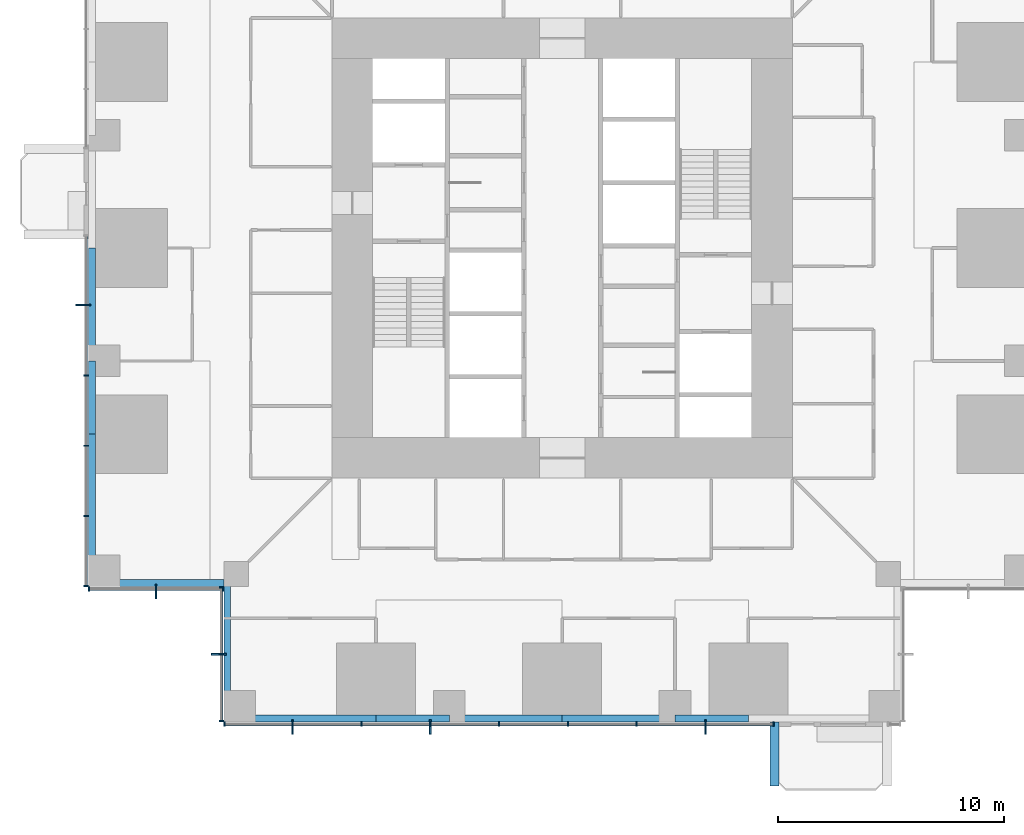
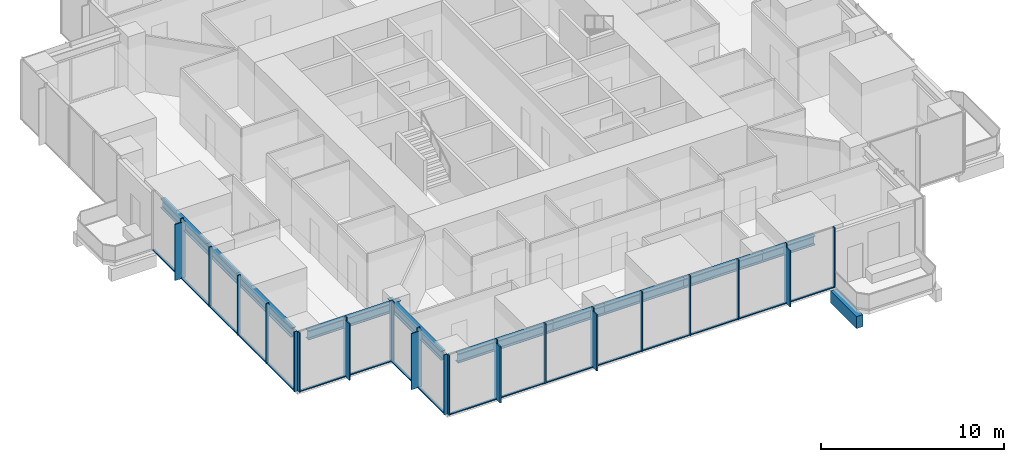
# One storey, part 2 of 16: 43 members, 11 beams, 4 elements without a shape of their own.
"""IFC4 building model written with IfcOpenShell, lengths in metres."""

import ifcopenshell
import ifcopenshell.guid

model = None  # the IFC model being written
_history = None  # IfcOwnerHistory: only IFC2X3 demands one
_inside = {}  # id of a spatial element -> (the spatial element, [elements in it])
_under = {}  # id of a project, library or spatial element -> (it, [spatial elements below it])
_declared = {}  # id of a project -> (the project, [libraries it declares])
_typed = {}  # id of a type object -> (the type object, [elements of that type])
_made_of = {}  # id of a material, layer set ... -> (it, [elements and type objects made of it])


def new_model(schema):
    """Start an empty IFC model of exactly this schema.

    Asked for "IFC4X3", IfcOpenShell would pick the latest addendum, in which some entities
    have other attributes; the version numbers below select the first issue.
    IFC2X3 requires an IfcOwnerHistory on every rooted entity: one is made here for all.
    """
    global model, _history
    if schema == "IFC4X3":
        model = ifcopenshell.file(schema_version=(4, 3, 0, 0))
    else:
        model = ifcopenshell.file(schema=schema)
    _inside.clear()
    _under.clear()
    _declared.clear()
    _typed.clear()
    _made_of.clear()
    _history = None
    if model.schema == "IFC2X3":
        org = make("IfcOrganization", Name="unknown")
        user = make(
            "IfcPersonAndOrganization",
            ThePerson=make("IfcPerson", FamilyName="unknown"),
            TheOrganization=org,
        )
        app = make(
            "IfcApplication",
            ApplicationDeveloper=org,
            Version="unknown",
            ApplicationFullName="unknown",
            ApplicationIdentifier="unknown",
        )
        _history = make(
            "IfcOwnerHistory",
            OwningUser=user,
            OwningApplication=app,
            ChangeAction="ADDED",
            CreationDate=0,
        )
    return model


def make(cls, **values):
    """One entity of the class cls with the attributes given. An attribute that is None is left unset."""
    return model.create_entity(
        cls, **{name: value for name, value in values.items() if value is not None}
    )


def rooted(cls, **values):
    """An entity with a GlobalId (a new one), such as an element, a storey or a relation."""
    return make(cls, GlobalId=ifcopenshell.guid.new(), OwnerHistory=_history, **values)


def si_unit(unit_type, name, prefix=None):
    """IfcSIUnit, for example si_unit("LENGTHUNIT", "METRE", prefix="MILLI")."""
    return make("IfcSIUnit", UnitType=unit_type, Prefix=prefix, Name=name)


def assignment(units):
    """IfcUnitAssignment: the units of a project."""
    return None if units is None else make("IfcUnitAssignment", Units=units)


def point(xyz):
    """IfcCartesianPoint."""
    return None if xyz is None else make("IfcCartesianPoint", Coordinates=xyz)


def direction(xyz):
    """IfcDirection."""
    return None if xyz is None else make("IfcDirection", DirectionRatios=xyz)


def frame(location, z_axis=None, x_axis=None):
    """IfcAxis2Placement3D, a coordinate frame: its origin and axes. An axis left out is left unset."""
    return make(
        "IfcAxis2Placement3D",
        Location=point(location),
        Axis=direction(z_axis),
        RefDirection=direction(x_axis),
    )


def frame_2d(location, x_axis=None):
    """IfcAxis2Placement2D, a coordinate frame in the plane: its origin and x axis."""
    return make(
        "IfcAxis2Placement2D", Location=point(location), RefDirection=direction(x_axis)
    )


def origin():
    """The frame at (0, 0, 0) with its axes left unset."""
    return frame((0.0, 0.0, 0.0))


def origin_2d():
    """The frame at (0, 0) in the plane with its x axis left unset."""
    return frame_2d((0.0, 0.0))


def place(relative_to, where):
    """IfcLocalPlacement: puts the frame where relative to a parent placement (None: the world)."""
    return make(
        "IfcLocalPlacement", PlacementRelTo=relative_to, RelativePlacement=where
    )


def context(
    kind, dimensions, precision=None, world=None, true_north=None, identifier=None
):
    """IfcGeometricRepresentationContext, for example the 3D "Model" context."""
    return make(
        "IfcGeometricRepresentationContext",
        ContextIdentifier=identifier,
        ContextType=kind,
        CoordinateSpaceDimension=dimensions,
        Precision=precision,
        WorldCoordinateSystem=world,
        TrueNorth=true_north,
    )


def subcontext(parent, identifier, kind, view, scale=None):
    """IfcGeometricRepresentationSubContext, for example "Body" below "Model"."""
    return make(
        "IfcGeometricRepresentationSubContext",
        ContextIdentifier=identifier,
        ContextType=kind,
        ParentContext=parent,
        TargetScale=scale,
        TargetView=view,
    )


def project(units=None, contexts=None):
    """IfcProject with its units and contexts."""
    return rooted(
        "IfcProject",
        Name="project",
        RepresentationContexts=contexts,
        UnitsInContext=assignment(units),
    )


def spatial(cls, under=None, at=None, **own):
    """A site, building, storey or space (cls), placed at a placement, below another one or the project."""
    s = rooted(cls, ObjectPlacement=at, **own)
    if under is not None:
        _under.setdefault(under.id(), (under, []))[1].append(s)
    return s


def profile(cls, at=None, kind="AREA", **sizes):
    """A parametric profile (cls). Its sizes go by their IFC names, for example OverallWidth=200.0."""
    return make(cls, ProfileType=kind, Position=at, **sizes)


def rectangle(**sizes):
    """IfcRectangleProfileDef."""
    return profile("IfcRectangleProfileDef", **sizes)


def i_section(**sizes):
    """IfcIShapeProfileDef."""
    return profile("IfcIShapeProfileDef", **sizes)


def extrude(swept, where, along, depth):
    """IfcExtrudedAreaSolid: the profile swept, set in the frame where, extruded along a direction by depth."""
    return make(
        "IfcExtrudedAreaSolid",
        SweptArea=swept,
        Position=where,
        ExtrudedDirection=direction(along),
        Depth=depth,
    )


def shape(context_of_items, identifier, shape_type, items):
    """IfcShapeRepresentation: the items that make up one representation, for example the "Body"."""
    return make(
        "IfcShapeRepresentation",
        ContextOfItems=context_of_items,
        RepresentationIdentifier=identifier,
        RepresentationType=shape_type,
        Items=items,
    )


def material(Name=None, Category=None):
    """IfcMaterial."""
    return make("IfcMaterial", Name=Name, Category=Category)


def material_profile(
    of_material, cross_section, Name=None, Category=None, Priority=None
):
    """IfcMaterialProfile: a cross section and its material."""
    return make(
        "IfcMaterialProfile",
        Name=Name,
        Material=of_material,
        Profile=cross_section,
        Priority=Priority,
        Category=Category,
    )


def profile_set(profiles, Name=None, composite=None):
    """IfcMaterialProfileSet."""
    return make(
        "IfcMaterialProfileSet",
        Name=Name,
        MaterialProfiles=profiles,
        CompositeProfile=composite,
    )


def made_of(thing, what):
    """Note that an element or type object is made of a material, layer set ...; save() writes the relation."""
    if what is not None:
        _made_of.setdefault(what.id(), (what, []))[1].append(thing)
    return thing


def type_object(cls, material=None, **own):
    """A type object (cls), such as IfcWallType, which elements share."""
    return made_of(rooted(cls, **own), material)


def element(
    cls,
    number,
    at=None,
    inside=None,
    cuts=None,
    type_object=None,
    material=None,
    context=None,
    identifier="Body",
    shape_type=None,
    held_by="IfcProductDefinitionShape",
    body=None,
    shapes=None,
    **own,
):
    """One element of the class cls, such as IfcWall. Its Tag is "e" and its number.

    at: its placement. inside: the storey or other place that contains it. cuts: it is an
    opening in that element (IfcRelVoidsElement). A single representation is given by context,
    identifier, shape_type and body (its items); several are given by shapes. held_by: the class
    of the entity that holds the representations. save() writes the other relations.
    """
    e = rooted(cls, Tag="e%d" % number, ObjectPlacement=at, **own)
    if body is not None:
        shapes = [shape(context, identifier, shape_type, body)]
    if shapes is not None:
        e.Representation = make(held_by, Representations=shapes)
    if inside is not None:
        _inside.setdefault(inside.id(), (inside, []))[1].append(e)
    if cuts is not None:
        rooted(
            "IfcRelVoidsElement", RelatingBuildingElement=cuts, RelatedOpeningElement=e
        )
    if type_object is not None:
        _typed.setdefault(type_object.id(), (type_object, []))[1].append(e)
    return made_of(e, material)


def aggregate(whole, parts):
    """IfcRelAggregates: a whole, such as a stair, and the parts it consists of."""
    return rooted("IfcRelAggregates", RelatingObject=whole, RelatedObjects=parts)


def save(model, path):
    """Write the relations noted so far, then the file.

    IfcRelAggregates (storeys below a building ...), IfcRelContainedInSpatialStructure (elements
    in a storey), IfcRelDefinesByType, IfcRelAssociatesMaterial and IfcRelDeclares: one each for
    every whole, place, type object, material and project.
    """
    for whole, parts in _under.values():
        aggregate(whole, parts)
    for where, things in _inside.values():
        rooted(
            "IfcRelContainedInSpatialStructure",
            RelatedElements=things,
            RelatingStructure=where,
        )
    for kind, things in _typed.values():
        rooted("IfcRelDefinesByType", RelatedObjects=things, RelatingType=kind)
    for what, things in _made_of.values():
        rooted("IfcRelAssociatesMaterial", RelatedObjects=things, RelatingMaterial=what)
    for by, libraries in _declared.values():
        rooted("IfcRelDeclares", RelatingContext=by, RelatedDefinitions=libraries)
    model.write(path)


model = new_model("IFC4")

# Units and contexts
model_context = context("Model", 3, precision=1e-05, world=origin(), true_north=direction((0.0, 1.0)))
body_context = subcontext(model_context, "Body", "Model", "MODEL_VIEW")
ifc_project = project(units=[si_unit("LENGTHUNIT", "METRE"), si_unit("AREAUNIT", "SQUARE_METRE"), si_unit("VOLUMEUNIT", "CUBIC_METRE"), si_unit("PLANEANGLEUNIT", "RADIAN"), si_unit("MASSUNIT", "GRAM", prefix="KILO")], contexts=[model_context])

# Site, building, storey
site_placement = place(None, origin())
site = spatial("IfcSite", under=ifc_project, at=site_placement, CompositionType="ELEMENT")
building_placement = place(site_placement, origin())
building = spatial("IfcBuilding", under=site, at=building_placement, Name="Svetlomir Tower", CompositionType="ELEMENT")
storey_placement = place(building_placement, frame((0.0, 0.0, 50.5)))
storey = spatial("IfcBuildingStorey", under=building, at=storey_placement, Name="L11", CompositionType="ELEMENT", Elevation=50.5)

# Beam
ifc_material_1 = material(Name="Concrete C60/75", Category="concrete")
ifc_material_profile_1 = material_profile(ifc_material_1, rectangle(XDim=0.39990234375, YDim=0.800048828125, at=origin_2d()), Name="RC 400x800")
ifc_profile_set_1 = profile_set([ifc_material_profile_1], Name="Concrete C60/75")
beam_type_1 = type_object("IfcBeamType", Name="BALCONY RIB RC 400x800", PredefinedType="BEAM", material=ifc_profile_set_1)
beam_1_placement = place(storey_placement, frame((30.39990234375, 0.0, -0.64990234375), z_axis=(0.0, -1.0, 0.0), x_axis=(1.0, 0.0, 0.0)))
element("IfcBeam", 1, at=beam_1_placement, inside=storey, type_object=beam_type_1, Name="Balcony rib S 1 L11", PredefinedType="BEAM", context=body_context, shape_type="SweptSolid", body=[
    extrude(rectangle(XDim=0.39990234375, YDim=0.800048828125, at=origin_2d()), origin(), (0.0, 0.0, 1.0), 2.85009765625),
])

# Curtain wall, members
ifc_material_2 = material(Name="Bronze anodised aluminium curtain wall", Category="aluminium")
curtain_wall_type = type_object("IfcCurtainWallType", Name="CURTAIN WALL CW1 TOWER OFFICE", PredefinedType="NOTDEFINED", material=ifc_material_2)
curtain_wall_1_placement = place(storey_placement, origin())
curtain_wall_1 = element("IfcCurtainWall", 2, at=curtain_wall_1_placement, inside=storey, type_object=curtain_wall_type, Name="Curtain wall CW1 L11", PredefinedType="NOTDEFINED")
ifc_material_3 = material(Name="Bronze anodised aluminium", Category="aluminium")
ifc_material_profile_2 = material_profile(ifc_material_3, rectangle(XDim=0.080078125, YDim=0.64990234375, at=origin_2d()), Name="FIN 80x650")
ifc_profile_set_2 = profile_set([ifc_material_profile_2], Name="Bronze anodised aluminium 6063-T6")
member_type_1 = type_object("IfcMemberType", Name="BRONZE FIN 80x650", PredefinedType="USERDEFINED", material=ifc_profile_set_2)
member_1_placement = place(storey_placement, frame((9.050048828125, -0.22509765625, 0.0), z_axis=(0.0, 0.0, 1.0), x_axis=(1.0, 0.0, 0.0)))
member_1 = element("IfcMember", 3, at=member_1_placement, type_object=member_type_1, Name="Bronze fin L11", ObjectType="FIN", PredefinedType="USERDEFINED", context=body_context, shape_type="SweptSolid", body=[
    extrude(rectangle(XDim=0.080078125, YDim=0.64990234375, at=origin_2d()), origin(), (0.0, 0.0, 1.0), 3.75),
])
member_2_placement = place(storey_placement, frame((15.14990234375, -0.22509765625, 0.0), z_axis=(0.0, 0.0, 1.0), x_axis=(1.0, 0.0, 0.0)))
member_2 = element("IfcMember", 4, at=member_2_placement, type_object=member_type_1, Name="Bronze fin L11", ObjectType="FIN", PredefinedType="USERDEFINED", context=body_context, shape_type="SweptSolid", body=[
    extrude(rectangle(XDim=0.080078125, YDim=0.64990234375, at=origin_2d()), origin(), (0.0, 0.0, 1.0), 3.75),
])
member_3_placement = place(storey_placement, frame((27.35009765625, -0.22509765625, 0.0), z_axis=(0.0, 0.0, 1.0), x_axis=(1.0, 0.0, 0.0)))
member_3 = element("IfcMember", 5, at=member_3_placement, type_object=member_type_1, Name="Bronze fin L11", ObjectType="FIN", PredefinedType="USERDEFINED", context=body_context, shape_type="SweptSolid", body=[
    extrude(rectangle(XDim=0.080078125, YDim=0.64990234375, at=origin_2d()), origin(), (0.0, 0.0, 1.0), 3.75),
])

# Curtain wall, member
curtain_wall_2_placement = place(storey_placement, origin())
curtain_wall_2 = element("IfcCurtainWall", 6, at=curtain_wall_2_placement, inside=storey, type_object=curtain_wall_type, Name="Curtain wall CW1 L11", PredefinedType="NOTDEFINED")
member_4_placement = place(storey_placement, frame((-0.22509765625, 18.47998046875, 0.0), z_axis=(0.0, 0.0, 1.0), x_axis=(0.0, 1.0, 0.0)))
member_4 = element("IfcMember", 7, at=member_4_placement, type_object=member_type_1, Name="Bronze fin L11", ObjectType="FIN", PredefinedType="USERDEFINED", context=body_context, shape_type="SweptSolid", body=[
    extrude(rectangle(XDim=0.080078125, YDim=0.64990234375, at=origin_2d()), origin(), (0.0, 0.0, 1.0), 3.75),
])

curtain_wall_3_placement = place(storey_placement, origin())
curtain_wall_3 = element("IfcCurtainWall", 8, at=curtain_wall_3_placement, inside=storey, type_object=curtain_wall_type, Name="Curtain wall CW1 L11", PredefinedType="NOTDEFINED")
member_5_placement = place(storey_placement, frame((3.0, 5.77490234375, 0.0), z_axis=(0.0, 0.0, 1.0), x_axis=(1.0, 0.0, 0.0)))
member_5 = element("IfcMember", 9, at=member_5_placement, type_object=member_type_1, Name="Bronze fin L11", ObjectType="FIN", PredefinedType="USERDEFINED", context=body_context, shape_type="SweptSolid", body=[
    extrude(rectangle(XDim=0.080078125, YDim=0.64990234375, at=origin_2d()), origin(), (0.0, 0.0, 1.0), 3.75),
])

curtain_wall_4_placement = place(storey_placement, origin())
curtain_wall_4 = element("IfcCurtainWall", 10, at=curtain_wall_4_placement, inside=storey, type_object=curtain_wall_type, Name="Curtain wall CW1 L11", PredefinedType="NOTDEFINED")
member_6_placement = place(storey_placement, frame((5.77490234375, 3.0, 0.0), z_axis=(0.0, 0.0, 1.0), x_axis=(0.0, 1.0, 0.0)))
member_6 = element("IfcMember", 11, at=member_6_placement, type_object=member_type_1, Name="Bronze fin L11", ObjectType="FIN", PredefinedType="USERDEFINED", context=body_context, shape_type="SweptSolid", body=[
    extrude(rectangle(XDim=0.080078125, YDim=0.64990234375, at=origin_2d()), origin(), (0.0, 0.0, 1.0), 3.75),
])

# Member
ifc_material_4 = material(Name="Bronze anodised aluminium", Category="aluminium")
ifc_material_profile_3 = material_profile(ifc_material_4, rectangle(XDim=0.06494140625, YDim=0.199951171875, at=origin_2d()), Name="AL 65x200")
ifc_profile_set_3 = profile_set([ifc_material_profile_3], Name="Bronze anodised aluminium 6063-T6")
member_type_2 = type_object("IfcMemberType", Name="CW1 MULLION 65x200", PredefinedType="MULLION", material=ifc_profile_set_3)
member_7_placement = place(storey_placement, frame((6.032470703125, -0.10009765625, 0.0), z_axis=(0.0, 0.0, 1.0), x_axis=(1.0, 0.0, 0.0)))
member_7 = element("IfcMember", 12, at=member_7_placement, type_object=member_type_2, Name="CW1 mullion 1", PredefinedType="MULLION", context=body_context, shape_type="SweptSolid", body=[
    extrude(rectangle(XDim=0.06494140625, YDim=0.199951171875, at=origin_2d()), origin(), (0.0, 0.0, 1.0), 4.0),
])

member_8_placement = place(storey_placement, frame((9.050048828125, -0.10009765625, 0.0), z_axis=(0.0, 0.0, 1.0), x_axis=(1.0, 0.0, 0.0)))
member_8 = element("IfcMember", 13, at=member_8_placement, type_object=member_type_2, Name="CW1 mullion 2", PredefinedType="MULLION", context=body_context, shape_type="SweptSolid", body=[
    extrude(rectangle(XDim=0.06494140625, YDim=0.199951171875, at=origin_2d()), origin(), (0.0, 0.0, 1.0), 4.0),
])

member_9_placement = place(storey_placement, frame((12.10009765625, -0.10009765625, 0.0), z_axis=(0.0, 0.0, 1.0), x_axis=(1.0, 0.0, 0.0)))
member_9 = element("IfcMember", 14, at=member_9_placement, type_object=member_type_2, Name="CW1 mullion 3", PredefinedType="MULLION", context=body_context, shape_type="SweptSolid", body=[
    extrude(rectangle(XDim=0.06494140625, YDim=0.199951171875, at=origin_2d()), origin(), (0.0, 0.0, 1.0), 4.0),
])

member_10_placement = place(storey_placement, frame((15.14990234375, -0.10009765625, 0.0), z_axis=(0.0, 0.0, 1.0), x_axis=(1.0, 0.0, 0.0)))
member_10 = element("IfcMember", 15, at=member_10_placement, type_object=member_type_2, Name="CW1 mullion 4", PredefinedType="MULLION", context=body_context, shape_type="SweptSolid", body=[
    extrude(rectangle(XDim=0.06494140625, YDim=0.199951171875, at=origin_2d()), origin(), (0.0, 0.0, 1.0), 4.0),
])

member_11_placement = place(storey_placement, frame((18.199951171875, -0.10009765625, 0.0), z_axis=(0.0, 0.0, 1.0), x_axis=(1.0, 0.0, 0.0)))
member_11 = element("IfcMember", 16, at=member_11_placement, type_object=member_type_2, Name="CW1 mullion 5", PredefinedType="MULLION", context=body_context, shape_type="SweptSolid", body=[
    extrude(rectangle(XDim=0.06494140625, YDim=0.199951171875, at=origin_2d()), origin(), (0.0, 0.0, 1.0), 4.0),
])

member_12_placement = place(storey_placement, frame((21.25, -0.10009765625, 0.0), z_axis=(0.0, 0.0, 1.0), x_axis=(1.0, 0.0, 0.0)))
member_12 = element("IfcMember", 17, at=member_12_placement, type_object=member_type_2, Name="CW1 mullion 6", PredefinedType="MULLION", context=body_context, shape_type="SweptSolid", body=[
    extrude(rectangle(XDim=0.06494140625, YDim=0.199951171875, at=origin_2d()), origin(), (0.0, 0.0, 1.0), 4.0),
])

member_13_placement = place(storey_placement, frame((24.300048828125, -0.10009765625, 0.0), z_axis=(0.0, 0.0, 1.0), x_axis=(1.0, 0.0, 0.0)))
member_13 = element("IfcMember", 18, at=member_13_placement, type_object=member_type_2, Name="CW1 mullion 7", PredefinedType="MULLION", context=body_context, shape_type="SweptSolid", body=[
    extrude(rectangle(XDim=0.06494140625, YDim=0.199951171875, at=origin_2d()), origin(), (0.0, 0.0, 1.0), 4.0),
])

member_14_placement = place(storey_placement, frame((27.35009765625, -0.10009765625, 0.0), z_axis=(0.0, 0.0, 1.0), x_axis=(1.0, 0.0, 0.0)))
member_14 = element("IfcMember", 19, at=member_14_placement, type_object=member_type_2, Name="CW1 mullion 8", PredefinedType="MULLION", context=body_context, shape_type="SweptSolid", body=[
    extrude(rectangle(XDim=0.06494140625, YDim=0.199951171875, at=origin_2d()), origin(), (0.0, 0.0, 1.0), 4.0),
])

member_15_placement = place(storey_placement, frame((30.367431640625, -0.10009765625, 0.0), z_axis=(0.0, 0.0, 1.0), x_axis=(1.0, 0.0, 0.0)))
member_15 = element("IfcMember", 20, at=member_15_placement, type_object=member_type_2, Name="CW1 mullion 9", PredefinedType="MULLION", context=body_context, shape_type="SweptSolid", body=[
    extrude(rectangle(XDim=0.06494140625, YDim=0.199951171875, at=origin_2d()), origin(), (0.0, 0.0, 1.0), 4.0),
])

member_16_placement = place(storey_placement, frame((-0.10009765625, 18.47998046875, 0.0), z_axis=(0.0, 0.0, 1.0), x_axis=(0.0, -1.0, 0.0)))
member_16 = element("IfcMember", 21, at=member_16_placement, type_object=member_type_2, Name="CW1 mullion 2", PredefinedType="MULLION", context=body_context, shape_type="SweptSolid", body=[
    extrude(rectangle(XDim=0.06494140625, YDim=0.199951171875, at=origin_2d()), origin(), (0.0, 0.0, 1.0), 4.0),
])

member_17_placement = place(storey_placement, frame((-0.10009765625, 15.360107421875, 0.0), z_axis=(0.0, 0.0, 1.0), x_axis=(0.0, -1.0, 0.0)))
member_17 = element("IfcMember", 22, at=member_17_placement, type_object=member_type_2, Name="CW1 mullion 3", PredefinedType="MULLION", context=body_context, shape_type="SweptSolid", body=[
    extrude(rectangle(XDim=0.06494140625, YDim=0.199951171875, at=origin_2d()), origin(), (0.0, 0.0, 1.0), 4.0),
])

member_18_placement = place(storey_placement, frame((-0.10009765625, 12.239990234375, 0.0), z_axis=(0.0, 0.0, 1.0), x_axis=(0.0, -1.0, 0.0)))
member_18 = element("IfcMember", 23, at=member_18_placement, type_object=member_type_2, Name="CW1 mullion 4", PredefinedType="MULLION", context=body_context, shape_type="SweptSolid", body=[
    extrude(rectangle(XDim=0.06494140625, YDim=0.199951171875, at=origin_2d()), origin(), (0.0, 0.0, 1.0), 4.0),
])

member_19_placement = place(storey_placement, frame((-0.10009765625, 9.1201171875, 0.0), z_axis=(0.0, 0.0, 1.0), x_axis=(0.0, -1.0, 0.0)))
member_19 = element("IfcMember", 24, at=member_19_placement, type_object=member_type_2, Name="CW1 mullion 5", PredefinedType="MULLION", context=body_context, shape_type="SweptSolid", body=[
    extrude(rectangle(XDim=0.06494140625, YDim=0.199951171875, at=origin_2d()), origin(), (0.0, 0.0, 1.0), 4.0),
])

member_20_placement = place(storey_placement, frame((-0.10009765625, 6.032470703125, 0.0), z_axis=(0.0, 0.0, 1.0), x_axis=(0.0, -1.0, 0.0)))
member_20 = element("IfcMember", 25, at=member_20_placement, type_object=member_type_2, Name="CW1 mullion 6", PredefinedType="MULLION", context=body_context, shape_type="SweptSolid", body=[
    extrude(rectangle(XDim=0.06494140625, YDim=0.199951171875, at=origin_2d()), origin(), (0.0, 0.0, 1.0), 4.0),
])

member_21_placement = place(storey_placement, frame((0.032470703125, 5.89990234375, 0.0), z_axis=(0.0, 0.0, 1.0), x_axis=(1.0, 0.0, 0.0)))
member_21 = element("IfcMember", 26, at=member_21_placement, type_object=member_type_2, Name="CW1 mullion 1", PredefinedType="MULLION", context=body_context, shape_type="SweptSolid", body=[
    extrude(rectangle(XDim=0.06494140625, YDim=0.199951171875, at=origin_2d()), origin(), (0.0, 0.0, 1.0), 4.0),
])

member_22_placement = place(storey_placement, frame((3.0, 5.89990234375, 0.0), z_axis=(0.0, 0.0, 1.0), x_axis=(1.0, 0.0, 0.0)))
member_22 = element("IfcMember", 27, at=member_22_placement, type_object=member_type_2, Name="CW1 mullion 2", PredefinedType="MULLION", context=body_context, shape_type="SweptSolid", body=[
    extrude(rectangle(XDim=0.06494140625, YDim=0.199951171875, at=origin_2d()), origin(), (0.0, 0.0, 1.0), 4.0),
])

member_23_placement = place(storey_placement, frame((5.967529296875, 5.89990234375, 0.0), z_axis=(0.0, 0.0, 1.0), x_axis=(1.0, 0.0, 0.0)))
member_23 = element("IfcMember", 28, at=member_23_placement, type_object=member_type_2, Name="CW1 mullion 3", PredefinedType="MULLION", context=body_context, shape_type="SweptSolid", body=[
    extrude(rectangle(XDim=0.06494140625, YDim=0.199951171875, at=origin_2d()), origin(), (0.0, 0.0, 1.0), 4.0),
])

member_24_placement = place(storey_placement, frame((5.89990234375, 5.967529296875, 0.0), z_axis=(0.0, 0.0, 1.0), x_axis=(0.0, -1.0, 0.0)))
member_24 = element("IfcMember", 29, at=member_24_placement, type_object=member_type_2, Name="CW1 mullion 1", PredefinedType="MULLION", context=body_context, shape_type="SweptSolid", body=[
    extrude(rectangle(XDim=0.06494140625, YDim=0.199951171875, at=origin_2d()), origin(), (0.0, 0.0, 1.0), 4.0),
])

member_25_placement = place(storey_placement, frame((5.89990234375, 3.0, 0.0), z_axis=(0.0, 0.0, 1.0), x_axis=(0.0, -1.0, 0.0)))
member_25 = element("IfcMember", 30, at=member_25_placement, type_object=member_type_2, Name="CW1 mullion 2", PredefinedType="MULLION", context=body_context, shape_type="SweptSolid", body=[
    extrude(rectangle(XDim=0.06494140625, YDim=0.199951171875, at=origin_2d()), origin(), (0.0, 0.0, 1.0), 4.0),
])

member_26_placement = place(storey_placement, frame((5.89990234375, 0.032470703125, 0.0), z_axis=(0.0, 0.0, 1.0), x_axis=(0.0, -1.0, 0.0)))
member_26 = element("IfcMember", 31, at=member_26_placement, type_object=member_type_2, Name="CW1 mullion 3", PredefinedType="MULLION", context=body_context, shape_type="SweptSolid", body=[
    extrude(rectangle(XDim=0.06494140625, YDim=0.199951171875, at=origin_2d()), origin(), (0.0, 0.0, 1.0), 4.0),
])

ifc_material_5 = material(Name="Bronze anodised aluminium", Category="aluminium")
ifc_material_profile_4 = material_profile(ifc_material_5, rectangle(XDim=0.139892578125, YDim=0.06494140625, at=origin_2d()), Name="AL 140x65")
ifc_profile_set_4 = profile_set([ifc_material_profile_4], Name="Bronze anodised aluminium 6063-T6")
member_type_3 = type_object("IfcMemberType", Name="CW1 TRANSOM 65x140", PredefinedType="USERDEFINED", material=ifc_profile_set_4)
member_27_placement = place(storey_placement, frame((6.06494140625, -0.10009765625, 0.032470703125), z_axis=(1.0, 0.0, 0.0), x_axis=(0.0, 1.0, 0.0)))
member_27 = element("IfcMember", 32, at=member_27_placement, type_object=member_type_3, Name="CW1 transom 1.1", ObjectType="TRANSOM", PredefinedType="USERDEFINED", context=body_context, shape_type="SweptSolid", body=[
    extrude(rectangle(XDim=0.139892578125, YDim=0.06494140625, at=origin_2d()), origin(), (0.0, 0.0, 1.0), 2.95263671875),
])

member_28_placement = place(storey_placement, frame((9.08251953125, -0.10009765625, 0.032470703125), z_axis=(1.0, 0.0, 0.0), x_axis=(0.0, 1.0, 0.0)))
member_28 = element("IfcMember", 33, at=member_28_placement, type_object=member_type_3, Name="CW1 transom 2.1", ObjectType="TRANSOM", PredefinedType="USERDEFINED", context=body_context, shape_type="SweptSolid", body=[
    extrude(rectangle(XDim=0.139892578125, YDim=0.06494140625, at=origin_2d()), origin(), (0.0, 0.0, 1.0), 2.98486328125),
])

member_29_placement = place(storey_placement, frame((12.132568359375, -0.10009765625, 0.032470703125), z_axis=(1.0, 0.0, 0.0), x_axis=(0.0, 1.0, 0.0)))
member_29 = element("IfcMember", 34, at=member_29_placement, type_object=member_type_3, Name="CW1 transom 3.1", ObjectType="TRANSOM", PredefinedType="USERDEFINED", context=body_context, shape_type="SweptSolid", body=[
    extrude(rectangle(XDim=0.139892578125, YDim=0.06494140625, at=origin_2d()), origin(), (0.0, 0.0, 1.0), 2.98486328125),
])

member_30_placement = place(storey_placement, frame((15.1826171875, -0.10009765625, 0.032470703125), z_axis=(1.0, 0.0, 0.0), x_axis=(0.0, 1.0, 0.0)))
member_30 = element("IfcMember", 35, at=member_30_placement, type_object=member_type_3, Name="CW1 transom 4.1", ObjectType="TRANSOM", PredefinedType="USERDEFINED", context=body_context, shape_type="SweptSolid", body=[
    extrude(rectangle(XDim=0.139892578125, YDim=0.06494140625, at=origin_2d()), origin(), (0.0, 0.0, 1.0), 2.98486328125),
])

member_31_placement = place(storey_placement, frame((18.232421875, -0.10009765625, 0.032470703125), z_axis=(1.0, 0.0, 0.0), x_axis=(0.0, 1.0, 0.0)))
member_31 = element("IfcMember", 36, at=member_31_placement, type_object=member_type_3, Name="CW1 transom 5.1", ObjectType="TRANSOM", PredefinedType="USERDEFINED", context=body_context, shape_type="SweptSolid", body=[
    extrude(rectangle(XDim=0.139892578125, YDim=0.06494140625, at=origin_2d()), origin(), (0.0, 0.0, 1.0), 2.985107421875),
])

member_32_placement = place(storey_placement, frame((21.282470703125, -0.10009765625, 0.032470703125), z_axis=(1.0, 0.0, 0.0), x_axis=(0.0, 1.0, 0.0)))
member_32 = element("IfcMember", 37, at=member_32_placement, type_object=member_type_3, Name="CW1 transom 6.1", ObjectType="TRANSOM", PredefinedType="USERDEFINED", context=body_context, shape_type="SweptSolid", body=[
    extrude(rectangle(XDim=0.139892578125, YDim=0.06494140625, at=origin_2d()), origin(), (0.0, 0.0, 1.0), 2.985107421875),
])

member_33_placement = place(storey_placement, frame((24.33251953125, -0.10009765625, 0.032470703125), z_axis=(1.0, 0.0, 0.0), x_axis=(0.0, 1.0, 0.0)))
member_33 = element("IfcMember", 38, at=member_33_placement, type_object=member_type_3, Name="CW1 transom 7.1", ObjectType="TRANSOM", PredefinedType="USERDEFINED", context=body_context, shape_type="SweptSolid", body=[
    extrude(rectangle(XDim=0.139892578125, YDim=0.06494140625, at=origin_2d()), origin(), (0.0, 0.0, 1.0), 2.98486328125),
])

member_34_placement = place(storey_placement, frame((27.382568359375, -0.10009765625, 0.032470703125), z_axis=(1.0, 0.0, 0.0), x_axis=(0.0, 1.0, 0.0)))
member_34 = element("IfcMember", 39, at=member_34_placement, type_object=member_type_3, Name="CW1 transom 8.1", ObjectType="TRANSOM", PredefinedType="USERDEFINED", context=body_context, shape_type="SweptSolid", body=[
    extrude(rectangle(XDim=0.139892578125, YDim=0.06494140625, at=origin_2d()), origin(), (0.0, 0.0, 1.0), 2.952392578125),
])

aggregate(curtain_wall_1, [member_7, member_8, member_9, member_10, member_11, member_12, member_13, member_14, member_15, member_27, member_28, member_29, member_30, member_31, member_32, member_33, member_34, member_1, member_2, member_3])

member_35_placement = place(storey_placement, frame((-0.10009765625, 21.534912109375, 0.032470703125), z_axis=(0.0, -1.0, 0.0), x_axis=(1.0, 0.0, 0.0)))
member_35 = element("IfcMember", 40, at=member_35_placement, type_object=member_type_3, Name="CW1 transom 1.1", ObjectType="TRANSOM", PredefinedType="USERDEFINED", context=body_context, shape_type="SweptSolid", body=[
    extrude(rectangle(XDim=0.139892578125, YDim=0.06494140625, at=origin_2d()), origin(), (0.0, 0.0, 1.0), 3.0224609375),
])

member_36_placement = place(storey_placement, frame((-0.10009765625, 18.447509765625, 0.032470703125), z_axis=(0.0, -1.0, 0.0), x_axis=(1.0, 0.0, 0.0)))
member_36 = element("IfcMember", 41, at=member_36_placement, type_object=member_type_3, Name="CW1 transom 2.1", ObjectType="TRANSOM", PredefinedType="USERDEFINED", context=body_context, shape_type="SweptSolid", body=[
    extrude(rectangle(XDim=0.139892578125, YDim=0.06494140625, at=origin_2d()), origin(), (0.0, 0.0, 1.0), 3.054931640625),
])

member_37_placement = place(storey_placement, frame((-0.10009765625, 15.327392578125, 0.032470703125), z_axis=(0.0, -1.0, 0.0), x_axis=(1.0, 0.0, 0.0)))
member_37 = element("IfcMember", 42, at=member_37_placement, type_object=member_type_3, Name="CW1 transom 3.1", ObjectType="TRANSOM", PredefinedType="USERDEFINED", context=body_context, shape_type="SweptSolid", body=[
    extrude(rectangle(XDim=0.139892578125, YDim=0.06494140625, at=origin_2d()), origin(), (0.0, 0.0, 1.0), 3.054931640625),
])

member_38_placement = place(storey_placement, frame((-0.10009765625, 12.20751953125, 0.032470703125), z_axis=(0.0, -1.0, 0.0), x_axis=(1.0, 0.0, 0.0)))
member_38 = element("IfcMember", 43, at=member_38_placement, type_object=member_type_3, Name="CW1 transom 4.1", ObjectType="TRANSOM", PredefinedType="USERDEFINED", context=body_context, shape_type="SweptSolid", body=[
    extrude(rectangle(XDim=0.139892578125, YDim=0.06494140625, at=origin_2d()), origin(), (0.0, 0.0, 1.0), 3.054931640625),
])

member_39_placement = place(storey_placement, frame((-0.10009765625, 9.08740234375, 0.032470703125), z_axis=(0.0, -1.0, 0.0), x_axis=(1.0, 0.0, 0.0)))
member_39 = element("IfcMember", 44, at=member_39_placement, type_object=member_type_3, Name="CW1 transom 5.1", ObjectType="TRANSOM", PredefinedType="USERDEFINED", context=body_context, shape_type="SweptSolid", body=[
    extrude(rectangle(XDim=0.139892578125, YDim=0.06494140625, at=origin_2d()), origin(), (0.0, 0.0, 1.0), 3.0224609375),
])

aggregate(curtain_wall_2, [member_16, member_17, member_18, member_19, member_20, member_35, member_36, member_37, member_38, member_39, member_4])

member_40_placement = place(storey_placement, frame((0.06494140625, 5.89990234375, 0.032470703125), z_axis=(1.0, 0.0, 0.0), x_axis=(0.0, 1.0, 0.0)))
member_40 = element("IfcMember", 45, at=member_40_placement, type_object=member_type_3, Name="CW1 transom 1.1", ObjectType="TRANSOM", PredefinedType="USERDEFINED", context=body_context, shape_type="SweptSolid", body=[
    extrude(rectangle(XDim=0.139892578125, YDim=0.06494140625, at=origin_2d()), origin(), (0.0, 0.0, 1.0), 2.902587890625),
])

member_41_placement = place(storey_placement, frame((3.032470703125, 5.89990234375, 0.032470703125), z_axis=(1.0, 0.0, 0.0), x_axis=(0.0, 1.0, 0.0)))
member_41 = element("IfcMember", 46, at=member_41_placement, type_object=member_type_3, Name="CW1 transom 2.1", ObjectType="TRANSOM", PredefinedType="USERDEFINED", context=body_context, shape_type="SweptSolid", body=[
    extrude(rectangle(XDim=0.139892578125, YDim=0.06494140625, at=origin_2d()), origin(), (0.0, 0.0, 1.0), 2.902587890625),
])

aggregate(curtain_wall_3, [member_21, member_22, member_23, member_40, member_41, member_5])

member_42_placement = place(storey_placement, frame((5.89990234375, 5.93505859375, 0.032470703125), z_axis=(0.0, -1.0, 0.0), x_axis=(1.0, 0.0, 0.0)))
member_42 = element("IfcMember", 47, at=member_42_placement, type_object=member_type_3, Name="CW1 transom 1.1", ObjectType="TRANSOM", PredefinedType="USERDEFINED", context=body_context, shape_type="SweptSolid", body=[
    extrude(rectangle(XDim=0.139892578125, YDim=0.06494140625, at=origin_2d()), origin(), (0.0, 0.0, 1.0), 2.902587890625),
])

member_43_placement = place(storey_placement, frame((5.89990234375, 2.967529296875, 0.032470703125), z_axis=(0.0, -1.0, 0.0), x_axis=(1.0, 0.0, 0.0)))
member_43 = element("IfcMember", 48, at=member_43_placement, type_object=member_type_3, Name="CW1 transom 2.1", ObjectType="TRANSOM", PredefinedType="USERDEFINED", context=body_context, shape_type="SweptSolid", body=[
    extrude(rectangle(XDim=0.139892578125, YDim=0.06494140625, at=origin_2d()), origin(), (0.0, 0.0, 1.0), 2.902587890625),
])

aggregate(curtain_wall_4, [member_24, member_25, member_26, member_42, member_43, member_6])

# Beams
ifc_material_6 = material(Name="Steel S355", Category="steel")
ifc_material_profile_5 = material_profile(ifc_material_6, i_section(OverallWidth=0.304931640625, OverallDepth=0.6201171875, WebThickness=0.02099609375, FlangeThickness=0.0400390625, FilletRadius=0.027099609375, at=origin_2d()), Name="HEM 600")
ifc_profile_set_5 = profile_set([ifc_material_profile_5], Name="Steel S355")
beam_type_2 = type_object("IfcBeamType", Name="EDGE BEAM HEM 600", PredefinedType="SPANDREL", material=ifc_profile_set_5)
for number, where, z_axis, x_axis, name in (
    (49, (6.699951171875, 0.152587890625, 3.43994140625), (1.0, 0.0, 0.0), (0.0, 1.0, 0.0), "Edge beam 6/0 to 11/0 under L12"),
    (50, (0.152587890625, 6.699951171875, 3.43994140625), (0.0, 1.0, 0.0), (-1.0, 0.0, 0.0), "Edge beam 0/6 to 0/11 under L12"),
):
    element("IfcBeam", number, at=place(storey_placement, frame(where, z_axis=z_axis, x_axis=x_axis)), inside=storey, type_object=beam_type_2, Name=name, PredefinedType="SPANDREL", context=body_context, shape_type="SweptSolid", body=[
        extrude(i_section(OverallWidth=0.304931640625, OverallDepth=0.6201171875, WebThickness=0.02099609375, FlangeThickness=0.0400390625, FilletRadius=0.027099609375, at=origin_2d()), origin(), (0.0, 0.0, 1.0), 6.050048828125),
    ])
for number, where, z_axis, x_axis, name in (
    (51, (12.75, 0.152587890625, 3.43994140625), (1.0, 0.0, 0.0), (0.0, 1.0, 0.0), "Edge beam 11/0 to 16/0 under L12"),
    (52, (0.152587890625, 12.75, 3.43994140625), (0.0, 1.0, 0.0), (-1.0, 0.0, 0.0), "Edge beam 0/11 to 0/16 under L12"),
):
    element("IfcBeam", number, at=place(storey_placement, frame(where, z_axis=z_axis, x_axis=x_axis)), inside=storey, type_object=beam_type_2, Name=name, PredefinedType="SPANDREL", context=body_context, shape_type="SweptSolid", body=[
        extrude(i_section(OverallWidth=0.304931640625, OverallDepth=0.6201171875, WebThickness=0.02099609375, FlangeThickness=0.0400390625, FilletRadius=0.027099609375, at=origin_2d()), origin(), (0.0, 0.0, 1.0), 3.25),
    ])
for number, where, z_axis, x_axis, name in (
    (53, (16.0, 0.152587890625, 3.43994140625), (1.0, 0.0, 0.0), (0.0, 1.0, 0.0), "Edge beam 16/0 to 21/0 under L12"),
    (54, (0.152587890625, 16.0, 3.43994140625), (0.0, 1.0, 0.0), (-1.0, 0.0, 0.0), "Edge beam 0/16 to 0/21 under L12"),
    (55, (21.0, 0.152587890625, 3.43994140625), (1.0, 0.0, 0.0), (0.0, 1.0, 0.0), "Edge beam 21/0 to 26/0 under L12"),
):
    element("IfcBeam", number, at=place(storey_placement, frame(where, z_axis=z_axis, x_axis=x_axis)), inside=storey, type_object=beam_type_2, Name=name, PredefinedType="SPANDREL", context=body_context, shape_type="SweptSolid", body=[
        extrude(i_section(OverallWidth=0.304931640625, OverallDepth=0.6201171875, WebThickness=0.02099609375, FlangeThickness=0.0400390625, FilletRadius=0.027099609375, at=origin_2d()), origin(), (0.0, 0.0, 1.0), 5.0),
    ])
beam_2_placement = place(storey_placement, frame((26.0, 0.152587890625, 3.43994140625), z_axis=(1.0, 0.0, 0.0), x_axis=(0.0, 1.0, 0.0)))
element("IfcBeam", 56, at=beam_2_placement, inside=storey, type_object=beam_type_2, Name="Edge beam 26/0 to 31/0 under L12", PredefinedType="SPANDREL", context=body_context, shape_type="SweptSolid", body=[
    extrude(i_section(OverallWidth=0.304931640625, OverallDepth=0.6201171875, WebThickness=0.02099609375, FlangeThickness=0.0400390625, FilletRadius=0.027099609375, at=origin_2d()), origin(), (0.0, 0.0, 1.0), 3.25),
])
for number, where, z_axis, x_axis, name in (
    (57, (6.152587890625, 0.699951171875, 3.43994140625), (0.0, 1.0, 0.0), (-1.0, 0.0, 0.0), "Edge beam 6/0 to 6/6 under L12"),
    (58, (0.699951171875, 6.152587890625, 3.43994140625), (1.0, 0.0, 0.0), (0.0, 1.0, 0.0), "Edge beam 0/6 to 6/6 under L12"),
):
    element("IfcBeam", number, at=place(storey_placement, frame(where, z_axis=z_axis, x_axis=x_axis)), inside=storey, type_object=beam_type_2, Name=name, PredefinedType="SPANDREL", context=body_context, shape_type="SweptSolid", body=[
        extrude(i_section(OverallWidth=0.304931640625, OverallDepth=0.6201171875, WebThickness=0.02099609375, FlangeThickness=0.0400390625, FilletRadius=0.027099609375, at=origin_2d()), origin(), (0.0, 0.0, 1.0), 5.85009765625),
    ])

save(model, "model.ifc")
